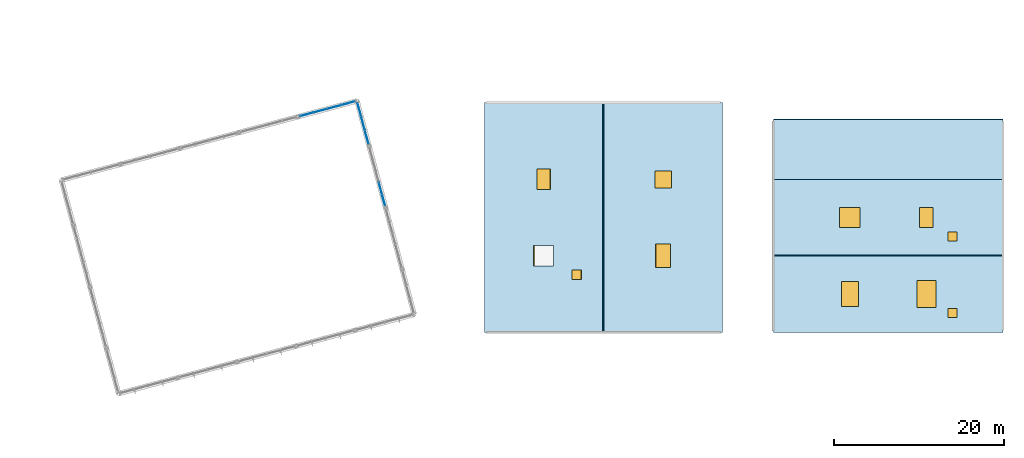
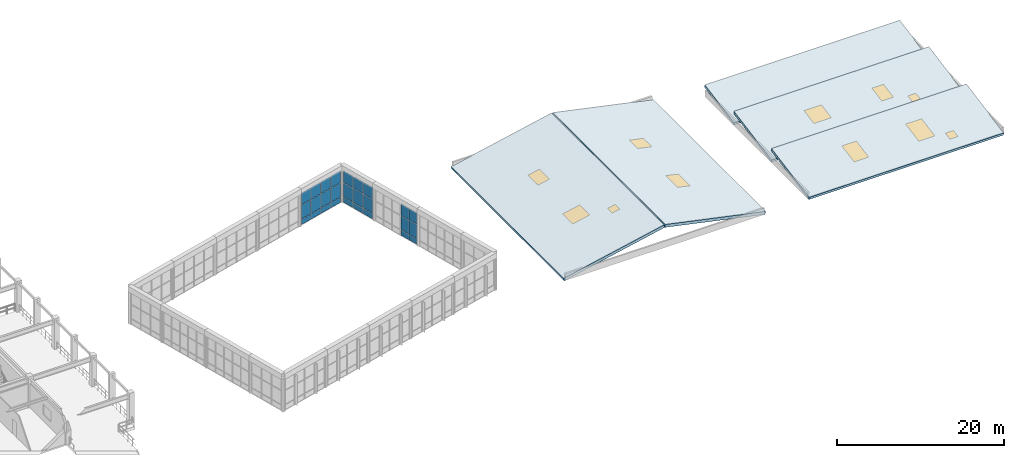
# One storey, part 42 of 55: 27 plates, 8 windows, 5 slabs, 3 doors, 11 openings, 3 elements without a shape of their own.
"""IFC4 building model written with IfcOpenShell, lengths in metres."""

from ifc_helpers import new_model, si_unit, direction, frame, origin, origin_2d, place, context, subcontext, project, spatial, polyline, rectangle, outline, extrude, material, layer, layer_set, type_object, element, fill, aggregate, save


model = new_model("IFC4")

# Units and contexts
model_context = context("Model", 3, precision=1e-05, world=origin(), true_north=direction((0.0, 1.0)))
body_context = subcontext(model_context, "Body", "Model", "MODEL_VIEW")
ifc_project = project(units=[si_unit("LENGTHUNIT", "METRE"), si_unit("AREAUNIT", "SQUARE_METRE"), si_unit("VOLUMEUNIT", "CUBIC_METRE"), si_unit("PLANEANGLEUNIT", "RADIAN"), si_unit("MASSUNIT", "GRAM", prefix="KILO")], contexts=[model_context])

# Site, building, storey
site_placement = place(None, origin())
site = spatial("IfcSite", under=ifc_project, at=site_placement, CompositionType="ELEMENT")
building_placement = place(site_placement, origin())
building = spatial("IfcBuilding", under=site, at=building_placement, Name="Ventoquebrada Cableway Terminal", CompositionType="ELEMENT")
storey_placement = place(building_placement, frame((0.0, 0.0, 14.39990234375)))
storey = spatial("IfcBuildingStorey", under=building, at=storey_placement, Name="L03", CompositionType="ELEMENT", Elevation=14.39990234375)

# Curtain wall, plates
ifc_material_1 = material(Name="Anodized thermally-broken aluminium", Category="aluminium")
ifc_layer_1 = layer(ifc_material_1, 0.159912109375)
ifc_layer_set_1 = layer_set([ifc_layer_1], Name="Anodized thermally-broken aluminium")
curtain_wall_type_1 = type_object("IfcCurtainWallType", Name="CW-T42", PredefinedType="USERDEFINED", material=ifc_layer_set_1)
curtain_wall_1_placement = place(storey_placement, origin())
curtain_wall_1 = element("IfcCurtainWall", 1, at=curtain_wall_1_placement, inside=storey, type_object=curtain_wall_type_1, Name="Unitised glazed curtain wall CW-124", ObjectType="UNITISED CURTAIN WALL", PredefinedType="USERDEFINED")
ifc_material_2 = material(Name="Double low-e laminated safety glazing", Category="glass")
ifc_layer_2 = layer(ifc_material_2, 0.031982421875)
ifc_layer_set_2 = layer_set([ifc_layer_2], Name="Double low-e laminated safety glazing")
plate_type_1 = type_object("IfcPlateType", Name="CWP-GL1", PredefinedType="CURTAIN_PANEL", material=ifc_layer_set_2)
plate_1_placement = place(storey_placement, frame((78.985107421875, 103.93798828125, 2.9697265625), z_axis=(0.0, 0.0, 1.0), x_axis=(-0.965921308897, -0.258835903649, 0.0)))
plate_1 = element("IfcPlate", 2, at=plate_1_placement, type_object=plate_type_1, Name="Vision glazing panel PN-1301", PredefinedType="CURTAIN_PANEL", context=body_context, shape_type="SweptSolid", body=[
    extrude(rectangle(XDim=1.60205078125, YDim=0.031982421875, at=origin_2d()), origin(), (0.0, 0.0, 1.0), 1.720947265625),
])
plate_2_placement = place(storey_placement, frame((77.363037109375, 103.50390625, 0.874267578125), z_axis=(0.0, 0.0, 1.0), x_axis=(-0.965921308897, -0.258835903649, 0.0)))
plate_2 = element("IfcPlate", 3, at=plate_2_placement, type_object=plate_type_1, Name="Vision glazing panel PN-1303", PredefinedType="CURTAIN_PANEL", context=body_context, shape_type="SweptSolid", body=[
    extrude(rectangle(XDim=1.636962890625, YDim=0.031982421875, at=origin_2d()), origin(), (0.0, 0.0, 1.0), 2.0458984375),
])
plate_3_placement = place(storey_placement, frame((75.72607421875, 103.06396484375, 2.9697265625), z_axis=(0.0, 0.0, 1.0), x_axis=(-0.965921308897, -0.258835903649, 0.0)))
plate_3 = element("IfcPlate", 4, at=plate_3_placement, type_object=plate_type_1, Name="Vision glazing panel PN-1307", PredefinedType="CURTAIN_PANEL", context=body_context, shape_type="SweptSolid", body=[
    extrude(rectangle(XDim=1.636962890625, YDim=0.031982421875, at=origin_2d()), origin(), (0.0, 0.0, 1.0), 1.720947265625),
])
plate_4_placement = place(storey_placement, frame((74.10400390625, 102.6298828125, 0.874267578125), z_axis=(0.0, 0.0, 1.0), x_axis=(-0.965921308897, -0.258835903649, 0.0)))
plate_4 = element("IfcPlate", 5, at=plate_4_placement, type_object=plate_type_1, Name="Vision glazing panel PN-1309", PredefinedType="CURTAIN_PANEL", context=body_context, shape_type="SweptSolid", body=[
    extrude(rectangle(XDim=1.60205078125, YDim=0.031982421875, at=origin_2d()), origin(), (0.0, 0.0, 1.0), 2.0458984375),
])

ifc_layer_3 = layer(ifc_material_1, 0.159912109375)
ifc_layer_set_3 = layer_set([ifc_layer_3], Name="Anodized thermally-broken aluminium")
curtain_wall_type_2 = type_object("IfcCurtainWallType", Name="CW-T44", PredefinedType="USERDEFINED", material=ifc_layer_set_3)
curtain_wall_2_placement = place(storey_placement, origin())
curtain_wall_2 = element("IfcCurtainWall", 6, at=curtain_wall_2_placement, inside=storey, type_object=curtain_wall_type_2, Name="Unitised glazed curtain wall CW-131", ObjectType="UNITISED CURTAIN WALL", PredefinedType="USERDEFINED")
plate_5_placement = place(storey_placement, frame((83.14501953125, 92.56103515625, 2.974609375), z_axis=(0.0, 0.0, 1.0), x_axis=(-0.258785327773, 0.96593486019, 0.0)))
plate_5 = element("IfcPlate", 7, at=plate_5_placement, type_object=plate_type_1, Name="Vision glazing panel PN-1385", PredefinedType="CURTAIN_PANEL", context=body_context, shape_type="SweptSolid", body=[
    extrude(rectangle(XDim=1.322998046875, YDim=0.031982421875, at=origin_2d()), origin(), (0.0, 0.0, 1.0), 1.7109375),
])
plate_6_placement = place(storey_placement, frame((82.782958984375, 93.912109375, 0.87939453125), z_axis=(0.0, 0.0, 1.0), x_axis=(-0.258785327773, 0.96593486019, 0.0)))
plate_6 = element("IfcPlate", 8, at=plate_6_placement, type_object=plate_type_1, Name="Vision glazing panel PN-1387", PredefinedType="CURTAIN_PANEL", context=body_context, shape_type="SweptSolid", body=[
    extrude(rectangle(XDim=1.35791015625, YDim=0.031982421875, at=origin_2d()), origin(), (0.0, 0.0, 1.0), 2.035888671875),
])

ifc_layer_4 = layer(ifc_material_1, 0.159912109375)
ifc_layer_set_4 = layer_set([ifc_layer_4], Name="Anodized thermally-broken aluminium")
curtain_wall_type_3 = type_object("IfcCurtainWallType", Name="CW-T43", PredefinedType="USERDEFINED", material=ifc_layer_set_4)
curtain_wall_3_placement = place(storey_placement, origin())
curtain_wall_3 = element("IfcCurtainWall", 9, at=curtain_wall_3_placement, inside=storey, type_object=curtain_wall_type_3, Name="Unitised glazed curtain wall CW-132", ObjectType="UNITISED CURTAIN WALL", PredefinedType="USERDEFINED")
plate_7_placement = place(storey_placement, frame((81.16796875, 99.93896484375, 2.974609375), z_axis=(0.0, 0.0, 1.0), x_axis=(-0.258835903649, 0.965921308897, 0.0)))
plate_7 = element("IfcPlate", 10, at=plate_7_placement, type_object=plate_type_1, Name="Vision glazing panel PN-1400", PredefinedType="CURTAIN_PANEL", context=body_context, shape_type="SweptSolid", body=[
    extrude(rectangle(XDim=1.60107421875, YDim=0.031982421875, at=origin_2d()), origin(), (0.0, 0.0, 1.0), 1.7109375),
])
plate_8_placement = place(storey_placement, frame((80.73388671875, 101.55908203125, 0.87939453125), z_axis=(0.0, 0.0, 1.0), x_axis=(-0.258835903649, 0.965921308897, 0.0)))
plate_8 = element("IfcPlate", 11, at=plate_8_placement, type_object=plate_type_1, Name="Vision glazing panel PN-1402", PredefinedType="CURTAIN_PANEL", context=body_context, shape_type="SweptSolid", body=[
    extrude(rectangle(XDim=1.635986328125, YDim=0.031982421875, at=origin_2d()), origin(), (0.0, 0.0, 1.0), 2.035888671875),
])
plate_9_placement = place(storey_placement, frame((80.299072265625, 103.179931640625, 2.974609375), z_axis=(0.0, 0.0, 1.0), x_axis=(-0.258835903649, 0.965921308897, 0.0)))
plate_9 = element("IfcPlate", 12, at=plate_9_placement, type_object=plate_type_1, Name="Vision glazing panel PN-1406", PredefinedType="CURTAIN_PANEL", context=body_context, shape_type="SweptSolid", body=[
    extrude(rectangle(XDim=1.60107421875, YDim=0.031982421875, at=origin_2d()), origin(), (0.0, 0.0, 1.0), 1.7109375),
])

# Plate
ifc_layer_5 = layer(ifc_material_2, 0.0380859375)
ifc_layer_set_5 = layer_set([ifc_layer_5], Name="Double low-e laminated safety glazing")
plate_type_2 = type_object("IfcPlateType", Name="CWP-GL2", PredefinedType="CURTAIN_PANEL", material=ifc_layer_set_5)
plate_10_placement = place(storey_placement, frame((78.985107421875, 103.93798828125, 0.874267578125), z_axis=(0.0, 0.0, 1.0), x_axis=(-0.965921308897, -0.258835903649, 0.0)))
plate_10 = element("IfcPlate", 13, at=plate_10_placement, type_object=plate_type_2, Name="Vision glazing panel PN-1300", PredefinedType="CURTAIN_PANEL", context=body_context, shape_type="SweptSolid", body=[
    extrude(rectangle(XDim=1.60205078125, YDim=0.0380859375, at=origin_2d()), origin(), (0.0, 0.0, 1.0), 2.0458984375),
])

plate_11_placement = place(storey_placement, frame((77.363037109375, 103.50390625, 2.9697265625), z_axis=(0.0, 0.0, 1.0), x_axis=(-0.965921308897, -0.258835903649, 0.0)))
plate_11 = element("IfcPlate", 14, at=plate_11_placement, type_object=plate_type_2, Name="Vision glazing panel PN-1304", PredefinedType="CURTAIN_PANEL", context=body_context, shape_type="SweptSolid", body=[
    extrude(rectangle(XDim=1.636962890625, YDim=0.0380859375, at=origin_2d()), origin(), (0.0, 0.0, 1.0), 1.720947265625),
])

plate_12_placement = place(storey_placement, frame((75.72607421875, 103.06396484375, 0.874267578125), z_axis=(0.0, 0.0, 1.0), x_axis=(-0.965921308897, -0.258835903649, 0.0)))
plate_12 = element("IfcPlate", 15, at=plate_12_placement, type_object=plate_type_2, Name="Vision glazing panel PN-1306", PredefinedType="CURTAIN_PANEL", context=body_context, shape_type="SweptSolid", body=[
    extrude(rectangle(XDim=1.636962890625, YDim=0.0380859375, at=origin_2d()), origin(), (0.0, 0.0, 1.0), 2.0458984375),
])

plate_13_placement = place(storey_placement, frame((74.10400390625, 102.6298828125, 2.9697265625), z_axis=(0.0, 0.0, 1.0), x_axis=(-0.965921308897, -0.258835903649, 0.0)))
plate_13 = element("IfcPlate", 16, at=plate_13_placement, type_object=plate_type_2, Name="Vision glazing panel PN-1310", PredefinedType="CURTAIN_PANEL", context=body_context, shape_type="SweptSolid", body=[
    extrude(rectangle(XDim=1.60205078125, YDim=0.0380859375, at=origin_2d()), origin(), (0.0, 0.0, 1.0), 1.720947265625),
])

plate_14_placement = place(storey_placement, frame((83.14501953125, 92.56103515625, 0.87939453125), z_axis=(0.0, 0.0, 1.0), x_axis=(-0.258785327773, 0.96593486019, 0.0)))
plate_14 = element("IfcPlate", 17, at=plate_14_placement, type_object=plate_type_2, Name="Vision glazing panel PN-1384", PredefinedType="CURTAIN_PANEL", context=body_context, shape_type="SweptSolid", body=[
    extrude(rectangle(XDim=1.322998046875, YDim=0.0380859375, at=origin_2d()), origin(), (0.0, 0.0, 1.0), 2.035888671875),
])

plate_15_placement = place(storey_placement, frame((82.782958984375, 93.912109375, 2.974609375), z_axis=(0.0, 0.0, 1.0), x_axis=(-0.258785327773, 0.96593486019, 0.0)))
plate_15 = element("IfcPlate", 18, at=plate_15_placement, type_object=plate_type_2, Name="Vision glazing panel PN-1388", PredefinedType="CURTAIN_PANEL", context=body_context, shape_type="SweptSolid", body=[
    extrude(rectangle(XDim=1.35791015625, YDim=0.0380859375, at=origin_2d()), origin(), (0.0, 0.0, 1.0), 1.7109375),
])

plate_16_placement = place(storey_placement, frame((81.16796875, 99.93896484375, 0.87939453125), z_axis=(0.0, 0.0, 1.0), x_axis=(-0.258835903649, 0.965921308897, 0.0)))
plate_16 = element("IfcPlate", 19, at=plate_16_placement, type_object=plate_type_2, Name="Vision glazing panel PN-1399", PredefinedType="CURTAIN_PANEL", context=body_context, shape_type="SweptSolid", body=[
    extrude(rectangle(XDim=1.60107421875, YDim=0.0380859375, at=origin_2d()), origin(), (0.0, 0.0, 1.0), 2.035888671875),
])

plate_17_placement = place(storey_placement, frame((80.73388671875, 101.55908203125, 2.974609375), z_axis=(0.0, 0.0, 1.0), x_axis=(-0.258835903649, 0.965921308897, 0.0)))
plate_17 = element("IfcPlate", 20, at=plate_17_placement, type_object=plate_type_2, Name="Vision glazing panel PN-1403", PredefinedType="CURTAIN_PANEL", context=body_context, shape_type="SweptSolid", body=[
    extrude(rectangle(XDim=1.635986328125, YDim=0.0380859375, at=origin_2d()), origin(), (0.0, 0.0, 1.0), 1.7109375),
])

plate_18_placement = place(storey_placement, frame((80.299072265625, 103.179931640625, 0.87939453125), z_axis=(0.0, 0.0, 1.0), x_axis=(-0.258835903649, 0.965921308897, 0.0)))
plate_18 = element("IfcPlate", 21, at=plate_18_placement, type_object=plate_type_2, Name="Vision glazing panel PN-1405", PredefinedType="CURTAIN_PANEL", context=body_context, shape_type="SweptSolid", body=[
    extrude(rectangle(XDim=1.60107421875, YDim=0.0380859375, at=origin_2d()), origin(), (0.0, 0.0, 1.0), 2.035888671875),
])

ifc_material_3 = material(Name="Insulated aluminium spandrel cassette", Category="aluminium")
ifc_layer_6 = layer(ifc_material_3, 0.044921875)
ifc_layer_set_6 = layer_set([ifc_layer_6], Name="Insulated aluminium spandrel cassette")
plate_type_3 = type_object("IfcPlateType", Name="CWP-SP1", PredefinedType="CURTAIN_PANEL", material=ifc_layer_set_6)
plate_19_placement = place(storey_placement, frame((78.985107421875, 103.93798828125, 0.06005859375), z_axis=(0.0, 0.0, 1.0), x_axis=(-0.965921308897, -0.258835903649, 0.0)))
plate_19 = element("IfcPlate", 22, at=plate_19_placement, type_object=plate_type_3, Name="Insulated spandrel panel PN-1299", PredefinedType="CURTAIN_PANEL", context=body_context, shape_type="SweptSolid", body=[
    extrude(rectangle(XDim=1.60205078125, YDim=0.044921875, at=origin_2d()), origin(), (0.0, 0.0, 1.0), 0.76611328125),
])

plate_20_placement = place(storey_placement, frame((77.363037109375, 103.50390625, 0.06005859375), z_axis=(0.0, 0.0, 1.0), x_axis=(-0.965921308897, -0.258835903649, 0.0)))
plate_20 = element("IfcPlate", 23, at=plate_20_placement, type_object=plate_type_3, Name="Insulated spandrel panel PN-1302", PredefinedType="CURTAIN_PANEL", context=body_context, shape_type="SweptSolid", body=[
    extrude(rectangle(XDim=1.636962890625, YDim=0.044921875, at=origin_2d()), origin(), (0.0, 0.0, 1.0), 0.76611328125),
])

plate_21_placement = place(storey_placement, frame((75.72607421875, 103.06396484375, 0.06005859375), z_axis=(0.0, 0.0, 1.0), x_axis=(-0.965921308897, -0.258835903649, 0.0)))
plate_21 = element("IfcPlate", 24, at=plate_21_placement, type_object=plate_type_3, Name="Insulated spandrel panel PN-1305", PredefinedType="CURTAIN_PANEL", context=body_context, shape_type="SweptSolid", body=[
    extrude(rectangle(XDim=1.636962890625, YDim=0.044921875, at=origin_2d()), origin(), (0.0, 0.0, 1.0), 0.76611328125),
])

plate_22_placement = place(storey_placement, frame((74.10400390625, 102.6298828125, 0.06005859375), z_axis=(0.0, 0.0, 1.0), x_axis=(-0.965921308897, -0.258835903649, 0.0)))
plate_22 = element("IfcPlate", 25, at=plate_22_placement, type_object=plate_type_3, Name="Insulated spandrel panel PN-1308", PredefinedType="CURTAIN_PANEL", context=body_context, shape_type="SweptSolid", body=[
    extrude(rectangle(XDim=1.60205078125, YDim=0.044921875, at=origin_2d()), origin(), (0.0, 0.0, 1.0), 0.76611328125),
])

aggregate(curtain_wall_1, [plate_19, plate_10, plate_1, plate_20, plate_2, plate_11, plate_21, plate_12, plate_3, plate_22, plate_4, plate_13])

plate_23_placement = place(storey_placement, frame((83.14501953125, 92.56103515625, 0.06494140625), z_axis=(0.0, 0.0, 1.0), x_axis=(-0.258785327773, 0.96593486019, 0.0)))
plate_23 = element("IfcPlate", 26, at=plate_23_placement, type_object=plate_type_3, Name="Insulated spandrel panel PN-1383", PredefinedType="CURTAIN_PANEL", context=body_context, shape_type="SweptSolid", body=[
    extrude(rectangle(XDim=1.322998046875, YDim=0.044921875, at=origin_2d()), origin(), (0.0, 0.0, 1.0), 0.756103515625),
])

plate_24_placement = place(storey_placement, frame((82.782958984375, 93.912109375, 0.06494140625), z_axis=(0.0, 0.0, 1.0), x_axis=(-0.258785327773, 0.96593486019, 0.0)))
plate_24 = element("IfcPlate", 27, at=plate_24_placement, type_object=plate_type_3, Name="Insulated spandrel panel PN-1386", PredefinedType="CURTAIN_PANEL", context=body_context, shape_type="SweptSolid", body=[
    extrude(rectangle(XDim=1.35791015625, YDim=0.044921875, at=origin_2d()), origin(), (0.0, 0.0, 1.0), 0.756103515625),
])

aggregate(curtain_wall_2, [plate_23, plate_14, plate_5, plate_24, plate_6, plate_15])

plate_25_placement = place(storey_placement, frame((81.16796875, 99.93896484375, 0.06494140625), z_axis=(0.0, 0.0, 1.0), x_axis=(-0.258835903649, 0.965921308897, 0.0)))
plate_25 = element("IfcPlate", 28, at=plate_25_placement, type_object=plate_type_3, Name="Insulated spandrel panel PN-1398", PredefinedType="CURTAIN_PANEL", context=body_context, shape_type="SweptSolid", body=[
    extrude(rectangle(XDim=1.60107421875, YDim=0.044921875, at=origin_2d()), origin(), (0.0, 0.0, 1.0), 0.756103515625),
])

plate_26_placement = place(storey_placement, frame((80.73388671875, 101.55908203125, 0.06494140625), z_axis=(0.0, 0.0, 1.0), x_axis=(-0.258835903649, 0.965921308897, 0.0)))
plate_26 = element("IfcPlate", 29, at=plate_26_placement, type_object=plate_type_3, Name="Insulated spandrel panel PN-1401", PredefinedType="CURTAIN_PANEL", context=body_context, shape_type="SweptSolid", body=[
    extrude(rectangle(XDim=1.635986328125, YDim=0.044921875, at=origin_2d()), origin(), (0.0, 0.0, 1.0), 0.756103515625),
])

plate_27_placement = place(storey_placement, frame((80.299072265625, 103.179931640625, 0.06494140625), z_axis=(0.0, 0.0, 1.0), x_axis=(-0.258835903649, 0.965921308897, 0.0)))
plate_27 = element("IfcPlate", 30, at=plate_27_placement, type_object=plate_type_3, Name="Insulated spandrel panel PN-1404", PredefinedType="CURTAIN_PANEL", context=body_context, shape_type="SweptSolid", body=[
    extrude(rectangle(XDim=1.60107421875, YDim=0.044921875, at=origin_2d()), origin(), (0.0, 0.0, 1.0), 0.756103515625),
])

aggregate(curtain_wall_3, [plate_25, plate_16, plate_7, plate_26, plate_8, plate_17, plate_27, plate_18, plate_9])

# Slab, openings, door, windows
ifc_material_4 = material(Name="Concrete C45/55", Category="concrete")
ifc_layer_7 = layer(ifc_material_4, 0.3798828125)
ifc_layer_set_7 = layer_set([ifc_layer_7], Name="Concrete C45/55")
slab_type_1 = type_object("IfcSlabType", Name="SL-RF1", PredefinedType="ROOF", material=ifc_layer_set_7)
slab_1_placement = place(storey_placement, frame((129.0, 77.0693359375, -0.37353515625), z_axis=(0.0, -0.182252581967, 0.98325174618), x_axis=(1.0, 0.0, 0.0)))
slab_1 = element("IfcSlab", 31, at=slab_1_placement, inside=storey, type_object=slab_type_1, Name="Folded roof slab SL-114", PredefinedType="ROOF", context=body_context, shape_type="SweptSolid", body=[
    extrude(outline(polyline([(0.0, 0.0), (27.0, 0.0), (27.0, 9.153301822208606), (0.0, 9.153301822208606), (0.0, 0.0)])), origin(), (0.0, 0.0, 1.0), 0.3798828125),
])
opening_1_placement = place(slab_1_placement, frame((9.0, 4.57666015625, -0.010009765625), z_axis=(0.0, 0.0, 1.0), x_axis=(0.0, 1.0, 0.0)))
opening_1 = element("IfcOpeningElement", 32, at=opening_1_placement, cuts=slab_1, Name="Opening SKY-16", PredefinedType="OPENING", context=body_context, shape_type="SweptSolid", body=[
    extrude(rectangle(XDim=3.0, YDim=2.0, at=origin_2d()), origin(), (0.0, 0.0, 1.0), 0.39990234375),
])
opening_2_placement = place(slab_1_placement, frame((18.0, 4.57666015625, -0.010009765625), z_axis=(0.0, 0.0, 1.0), x_axis=(0.0, 1.0, 0.0)))
opening_2 = element("IfcOpeningElement", 33, at=opening_2_placement, cuts=slab_1, Name="Opening SKY-17", PredefinedType="OPENING", context=body_context, shape_type="SweptSolid", body=[
    extrude(rectangle(XDim=3.199951171875, YDim=2.199951171875, at=origin_2d()), origin(), (0.0, 0.0, 1.0), 0.39990234375),
])
opening_3_placement = place(slab_1_placement, frame((21.06005859375, 2.288330078125, -0.010009765625), z_axis=(0.0, 0.0, 1.0), x_axis=(0.0, 1.0, 0.0)))
opening_3 = element("IfcOpeningElement", 34, at=opening_3_placement, cuts=slab_1, Name="Opening RH-04", PredefinedType="OPENING", context=body_context, shape_type="SweptSolid", body=[
    extrude(rectangle(XDim=1.10009765625, YDim=1.10009765625, at=origin_2d()), origin(), (0.0, 0.0, 1.0), 0.39990234375),
])
ifc_material_5 = material(Name="Galvanized acoustic steel door assembly", Category="steel")
door_type = type_object("IfcDoorType", Name="DT-RH01", OperationType="SINGLE_SWING_LEFT", PredefinedType="TRAPDOOR", material=ifc_material_5)
door_1_placement = place(opening_3_placement, frame((0.0, 0.0, 0.309814453125)))
door_1 = element("IfcDoor", 35, at=door_1_placement, inside=storey, type_object=door_type, Name="Insulated roof maintenance access hatch RH-04", OperationType="SINGLE_SWING_LEFT", OverallHeight=1.10009765625, OverallWidth=1.10009765625, PredefinedType="TRAPDOOR", context=body_context, shape_type="SweptSolid", body=[
    extrude(rectangle(XDim=1.10009765625, YDim=1.10009765625, at=origin_2d()), origin(), (0.0, 0.0, 1.0), 0.080078125),
])
fill(opening_3, door_1)
window_type_1 = type_object("IfcWindowType", Name="SK-04", PartitioningType="SINGLE_PANEL", PredefinedType="SKYLIGHT", material=ifc_material_2)
window_1_placement = place(opening_1_placement, frame((0.0, 0.0, 0.309814453125)))
window_1 = element("IfcWindow", 36, at=window_1_placement, inside=storey, type_object=window_type_1, Name="Sawtooth northlight skylight SKY-16", OverallHeight=2.0, OverallWidth=3.0, PartitioningType="SINGLE_PANEL", PredefinedType="SKYLIGHT", context=body_context, shape_type="SweptSolid", body=[
    extrude(rectangle(XDim=3.0, YDim=2.0, at=origin_2d()), origin(), (0.0, 0.0, 1.0), 0.080078125),
])
fill(opening_1, window_1)
window_type_2 = type_object("IfcWindowType", Name="SK-05", PartitioningType="SINGLE_PANEL", PredefinedType="SKYLIGHT", material=ifc_material_2)
window_2_placement = place(opening_2_placement, frame((0.0, 0.0, 0.309814453125)))
window_2 = element("IfcWindow", 37, at=window_2_placement, inside=storey, type_object=window_type_2, Name="Sawtooth northlight skylight SKY-17", OverallHeight=2.199951171875, OverallWidth=3.199951171875, PartitioningType="SINGLE_PANEL", PredefinedType="SKYLIGHT", context=body_context, shape_type="SweptSolid", body=[
    extrude(rectangle(XDim=3.199951171875, YDim=2.199951171875, at=origin_2d()), origin(), (0.0, 0.0, 1.0), 0.080078125),
])
fill(opening_2, window_2)

slab_2_placement = place(storey_placement, frame((129.0, 86.0693359375, -0.37353515625), z_axis=(0.0, -0.182252581967, 0.98325174618), x_axis=(1.0, 0.0, 0.0)))
slab_2 = element("IfcSlab", 38, at=slab_2_placement, inside=storey, type_object=slab_type_1, Name="Folded roof slab SL-115", PredefinedType="ROOF", context=body_context, shape_type="SweptSolid", body=[
    extrude(outline(polyline([(0.0, 0.0), (27.0, 0.0), (27.0, 9.153301822208606), (0.0, 9.153301822208606), (0.0, 0.0)])), origin(), (0.0, 0.0, 1.0), 0.3798828125),
])
opening_4_placement = place(slab_2_placement, frame((9.0, 4.57666015625, -0.010009765625), z_axis=(0.0, 0.0, 1.0), x_axis=(1.0, 0.0, 0.0)))
opening_4 = element("IfcOpeningElement", 39, at=opening_4_placement, cuts=slab_2, Name="Opening SKY-18", PredefinedType="OPENING", context=body_context, shape_type="SweptSolid", body=[
    extrude(rectangle(XDim=2.39990234375, YDim=2.39990234375, at=origin_2d()), origin(), (0.0, 0.0, 1.0), 0.39990234375),
])
opening_5_placement = place(slab_2_placement, frame((18.0, 4.57666015625, -0.010009765625), z_axis=(0.0, 0.0, 1.0), x_axis=(0.0, 1.0, 0.0)))
opening_5 = element("IfcOpeningElement", 40, at=opening_5_placement, cuts=slab_2, Name="Opening SKY-19", PredefinedType="OPENING", context=body_context, shape_type="SweptSolid", body=[
    extrude(rectangle(XDim=2.39990234375, YDim=1.60009765625, at=origin_2d()), origin(), (0.0, 0.0, 1.0), 0.39990234375),
])
opening_6_placement = place(slab_2_placement, frame((21.06005859375, 2.288330078125, -0.010009765625), z_axis=(0.0, 0.0, 1.0), x_axis=(0.0, 1.0, 0.0)))
opening_6 = element("IfcOpeningElement", 41, at=opening_6_placement, cuts=slab_2, Name="Opening RH-05", PredefinedType="OPENING", context=body_context, shape_type="SweptSolid", body=[
    extrude(rectangle(XDim=1.10009765625, YDim=1.10009765625, at=origin_2d()), origin(), (0.0, 0.0, 1.0), 0.39990234375),
])
door_2_placement = place(opening_6_placement, frame((0.0, 0.0, 0.309814453125)))
door_2 = element("IfcDoor", 42, at=door_2_placement, inside=storey, type_object=door_type, Name="Insulated roof maintenance access hatch RH-05", OperationType="SINGLE_SWING_RIGHT", OverallHeight=1.10009765625, OverallWidth=1.10009765625, PredefinedType="TRAPDOOR", context=body_context, shape_type="SweptSolid", body=[
    extrude(rectangle(XDim=1.10009765625, YDim=1.10009765625, at=origin_2d()), origin(), (0.0, 0.0, 1.0), 0.080078125),
])
fill(opening_6, door_2)
window_type_3 = type_object("IfcWindowType", Name="SK-01", PartitioningType="SINGLE_PANEL", PredefinedType="SKYLIGHT", material=ifc_material_2)
window_3_placement = place(opening_5_placement, frame((0.0, 0.0, 0.309814453125)))
window_3 = element("IfcWindow", 43, at=window_3_placement, inside=storey, type_object=window_type_3, Name="Sawtooth northlight skylight SKY-19", OverallHeight=1.60009765625, OverallWidth=2.39990234375, PartitioningType="SINGLE_PANEL", PredefinedType="SKYLIGHT", context=body_context, shape_type="SweptSolid", body=[
    extrude(rectangle(XDim=2.39990234375, YDim=1.60009765625, at=origin_2d()), origin(), (0.0, 0.0, 1.0), 0.080078125),
])
fill(opening_5, window_3)
window_type_4 = type_object("IfcWindowType", Name="SK-06", PartitioningType="SINGLE_PANEL", PredefinedType="SKYLIGHT", material=ifc_material_2)
window_4_placement = place(opening_4_placement, frame((0.0, 0.0, 0.309814453125)))
window_4 = element("IfcWindow", 44, at=window_4_placement, inside=storey, type_object=window_type_4, Name="Sawtooth northlight skylight SKY-18", OverallHeight=2.39990234375, OverallWidth=2.39990234375, PartitioningType="SINGLE_PANEL", PredefinedType="SKYLIGHT", context=body_context, shape_type="SweptSolid", body=[
    extrude(rectangle(XDim=2.39990234375, YDim=2.39990234375, at=origin_2d()), origin(), (0.0, 0.0, 1.0), 0.080078125),
])
fill(opening_4, window_4)

# Slab
slab_3_placement = place(storey_placement, frame((129.0, 95.0693359375, -0.37353515625), z_axis=(0.0, -0.182201008296, 0.983261304321), x_axis=(1.0, 0.0, 0.0)))
element("IfcSlab", 45, at=slab_3_placement, inside=storey, type_object=slab_type_1, Name="Folded roof slab SL-116", PredefinedType="ROOF", context=body_context, shape_type="SweptSolid", body=[
    extrude(outline(polyline([(0.0, 0.0), (27.0, 0.0), (27.0, 7.119165545552073), (0.0, 7.119165545552073), (0.0, 0.0)])), origin(), (0.0, 0.0, 1.0), 0.3798828125),
])

# Slab, openings, door, windows
ifc_layer_8 = layer(ifc_material_4, 0.409912109375)
ifc_layer_set_8 = layer_set([ifc_layer_8], Name="Concrete C45/55")
slab_type_2 = type_object("IfcSlabType", Name="SL-RF2", PredefinedType="ROOF", material=ifc_layer_set_8)
slab_4_placement = place(storey_placement, frame((95.085205078125, 77.0, -0.370849609375), z_axis=(-0.207937806095, 0.0, 0.978142049396), x_axis=(0.978142049396, 0.0, 0.207937806095)))
slab_4 = element("IfcSlab", 46, at=slab_4_placement, inside=storey, type_object=slab_type_2, Name="Folded roof slab SL-110", PredefinedType="ROOF", context=body_context, shape_type="SweptSolid", body=[
    extrude(outline(polyline([(0.0, 0.0), (14.22074852826017, 0.0), (14.22074852826017, 27.0), (0.0, 27.0), (0.0, 0.0)])), origin(), (0.0, 0.0, 1.0), 0.409912109375),
])
opening_7_placement = place(slab_4_placement, frame((7.110595703125, 9.0, -0.010009765625), z_axis=(0.0, 0.0, 1.0), x_axis=(1.0, 0.0, 0.0)))
opening_7 = element("IfcOpeningElement", 47, at=opening_7_placement, cuts=slab_4, Name="Opening SKY-12", PredefinedType="OPENING", context=body_context, shape_type="SweptSolid", body=[
    extrude(rectangle(XDim=2.39990234375, YDim=2.39990234375, at=origin_2d()), origin(), (0.0, 0.0, 1.0), 0.429931640625),
])
opening_8_placement = place(slab_4_placement, frame((7.110595703125, 18.0, -0.010009765625), z_axis=(0.0, 0.0, 1.0), x_axis=(0.0, 1.0, 0.0)))
opening_8 = element("IfcOpeningElement", 48, at=opening_8_placement, cuts=slab_4, Name="Opening SKY-13", PredefinedType="OPENING", context=body_context, shape_type="SweptSolid", body=[
    extrude(rectangle(XDim=2.39990234375, YDim=1.60009765625, at=origin_2d()), origin(), (0.0, 0.0, 1.0), 0.429931640625),
])
opening_9_placement = place(slab_4_placement, frame((11.092529296875, 6.75, -0.010009765625), z_axis=(0.0, 0.0, 1.0), x_axis=(0.0, 1.0, 0.0)))
opening_9 = element("IfcOpeningElement", 49, at=opening_9_placement, cuts=slab_4, Name="Opening RH-03", PredefinedType="OPENING", context=body_context, shape_type="SweptSolid", body=[
    extrude(rectangle(XDim=1.10009765625, YDim=1.10009765625, at=origin_2d()), origin(), (0.0, 0.0, 1.0), 0.429931640625),
])
door_3_placement = place(opening_9_placement, frame((0.0, 0.0, 0.33984375)))
door_3 = element("IfcDoor", 50, at=door_3_placement, inside=storey, type_object=door_type, Name="Insulated roof maintenance access hatch RH-03", OperationType="SINGLE_SWING_RIGHT", OverallHeight=1.10009765625, OverallWidth=1.10009765625, PredefinedType="TRAPDOOR", context=body_context, shape_type="SweptSolid", body=[
    extrude(rectangle(XDim=1.10009765625, YDim=1.10009765625, at=origin_2d()), origin(), (0.0, 0.0, 1.0), 0.080078125),
])
fill(opening_9, door_3)
window_5_placement = place(opening_8_placement, frame((0.0, 0.0, 0.33984375)))
window_5 = element("IfcWindow", 51, at=window_5_placement, inside=storey, type_object=window_type_3, Name="Sawtooth northlight skylight SKY-13", OverallHeight=1.60009765625, OverallWidth=2.39990234375, PartitioningType="SINGLE_PANEL", PredefinedType="SKYLIGHT", context=body_context, shape_type="SweptSolid", body=[
    extrude(rectangle(XDim=2.39990234375, YDim=1.60009765625, at=origin_2d()), origin(), (0.0, 0.0, 1.0), 0.080078125),
])
fill(opening_8, window_5)
window_6_placement = place(opening_7_placement, frame((0.0, 0.0, 0.33984375)))
window_6 = element("IfcWindow", 52, at=window_6_placement, inside=storey, type_object=window_type_4, Name="Sawtooth northlight skylight SKY-12", OverallHeight=2.39990234375, OverallWidth=2.39990234375, PartitioningType="SINGLE_PANEL", PredefinedType="SKYLIGHT", context=body_context, shape_type="SweptSolid", body=[
    extrude(rectangle(XDim=2.39990234375, YDim=2.39990234375, at=origin_2d()), origin(), (0.0, 0.0, 1.0), 0.080078125),
])
fill(opening_7, window_6)

# Slab, openings, windows
slab_5_placement = place(storey_placement, frame((109.0048828125, 77.0, 2.586181640625), z_axis=(0.207937806095, 0.0, 0.978142049396), x_axis=(0.978142049396, 0.0, -0.207937806095)))
slab_5 = element("IfcSlab", 53, at=slab_5_placement, inside=storey, type_object=slab_type_2, Name="Folded roof slab SL-111", PredefinedType="ROOF", context=body_context, shape_type="SweptSolid", body=[
    extrude(outline(polyline([(0.0, 0.0), (14.22074852826017, 0.0), (14.22074852826017, 27.0), (0.0, 27.0), (0.0, 0.0)])), origin(), (0.0, 0.0, 1.0), 0.409912109375),
])
opening_10_placement = place(slab_5_placement, frame((7.1103515625, 9.0, -0.010009765625), z_axis=(0.0, 0.0, 1.0), x_axis=(0.0, 1.0, 0.0)))
opening_10 = element("IfcOpeningElement", 54, at=opening_10_placement, cuts=slab_5, Name="Opening SKY-14", PredefinedType="OPENING", context=body_context, shape_type="SweptSolid", body=[
    extrude(rectangle(XDim=2.800048828125, YDim=1.800048828125, at=origin_2d()), origin(), (0.0, 0.0, 1.0), 0.429931640625),
])
opening_11_placement = place(slab_5_placement, frame((7.1103515625, 18.0, -0.010009765625), z_axis=(0.0, 0.0, 1.0), x_axis=(1.0, 0.0, 0.0)))
opening_11 = element("IfcOpeningElement", 55, at=opening_11_placement, cuts=slab_5, Name="Opening SKY-15", PredefinedType="OPENING", context=body_context, shape_type="SweptSolid", body=[
    extrude(rectangle(XDim=2.0, YDim=2.0, at=origin_2d()), origin(), (0.0, 0.0, 1.0), 0.429931640625),
])
window_type_5 = type_object("IfcWindowType", Name="SK-02", PartitioningType="SINGLE_PANEL", PredefinedType="SKYLIGHT", material=ifc_material_2)
window_7_placement = place(opening_10_placement, frame((0.0, 0.0, 0.33984375)))
window_7 = element("IfcWindow", 56, at=window_7_placement, inside=storey, type_object=window_type_5, Name="Sawtooth northlight skylight SKY-14", OverallHeight=1.800048828125, OverallWidth=2.800048828125, PartitioningType="SINGLE_PANEL", PredefinedType="SKYLIGHT", context=body_context, shape_type="SweptSolid", body=[
    extrude(rectangle(XDim=2.800048828125, YDim=1.800048828125, at=origin_2d()), origin(), (0.0, 0.0, 1.0), 0.080078125),
])
fill(opening_10, window_7)
window_type_6 = type_object("IfcWindowType", Name="SK-03", PartitioningType="SINGLE_PANEL", PredefinedType="SKYLIGHT", material=ifc_material_2)
window_8_placement = place(opening_11_placement, frame((0.0, 0.0, 0.33984375)))
window_8 = element("IfcWindow", 57, at=window_8_placement, inside=storey, type_object=window_type_6, Name="Sawtooth northlight skylight SKY-15", OverallHeight=2.0, OverallWidth=2.0, PartitioningType="SINGLE_PANEL", PredefinedType="SKYLIGHT", context=body_context, shape_type="SweptSolid", body=[
    extrude(rectangle(XDim=2.0, YDim=2.0, at=origin_2d()), origin(), (0.0, 0.0, 1.0), 0.080078125),
])
fill(opening_11, window_8)

save(model, "model.ifc")
